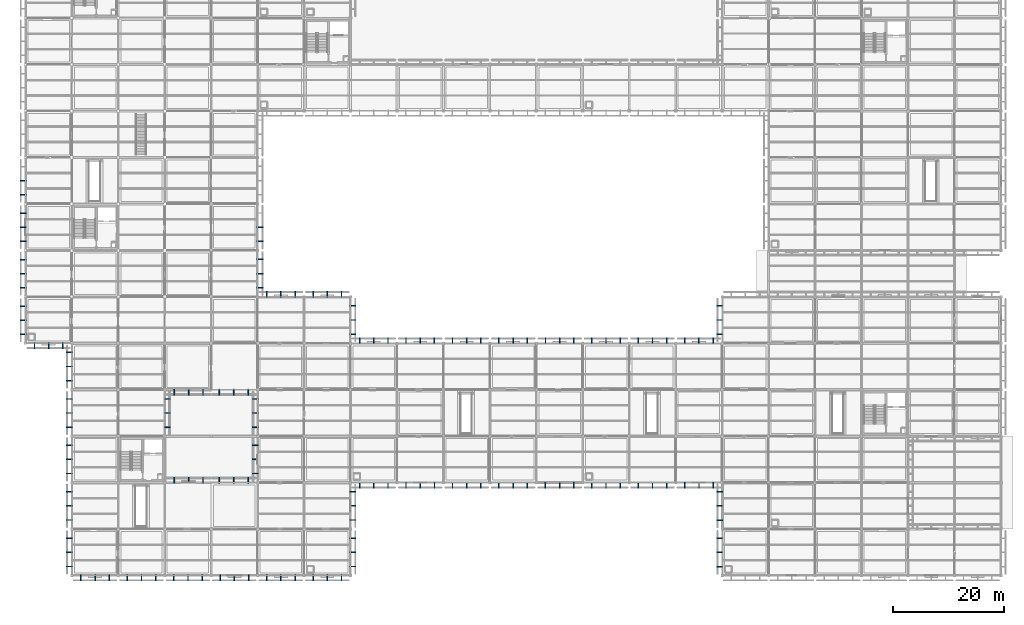
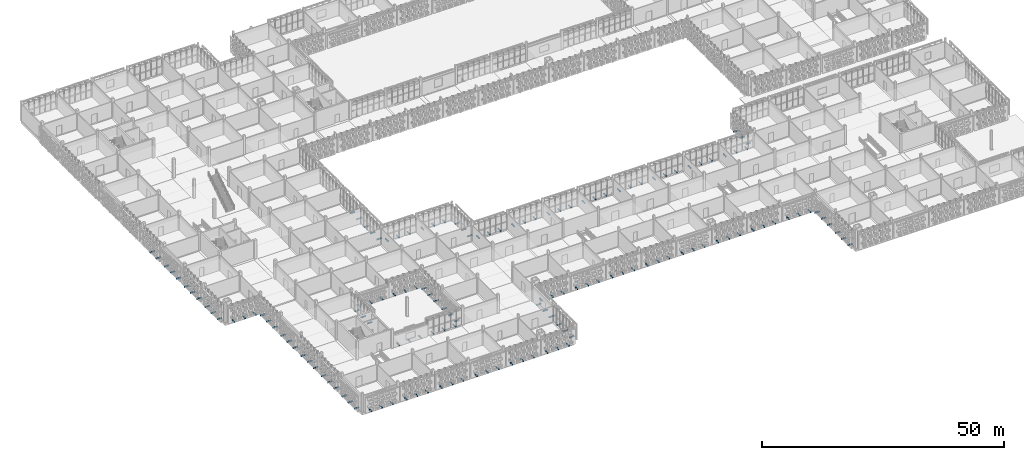
# One storey, part 130 of 203: 145 discrete accessories.
"""IFC4 building model written with IfcOpenShell, lengths in metres."""

from ifc_helpers import new_model, si_unit, direction, frame, origin, origin_2d, place, context, subcontext, project, spatial, rectangle, extrude, material, type_object, element, save


model = new_model("IFC4")

# Units and contexts
model_context = context("Model", 3, precision=1e-05, world=origin(), true_north=direction((0.0, 1.0)))
body_context = subcontext(model_context, "Body", "Model", "MODEL_VIEW")
ifc_project = project(units=[si_unit("LENGTHUNIT", "METRE"), si_unit("AREAUNIT", "SQUARE_METRE"), si_unit("VOLUMEUNIT", "CUBIC_METRE"), si_unit("PLANEANGLEUNIT", "RADIAN"), si_unit("MASSUNIT", "GRAM", prefix="KILO")], contexts=[model_context])

# Site, building, storey
site_placement = place(None, origin())
site = spatial("IfcSite", under=ifc_project, at=site_placement, CompositionType="ELEMENT")
building_placement = place(site_placement, origin())
building = spatial("IfcBuilding", under=site, at=building_placement, Name="Varnapada Polytechnic", CompositionType="ELEMENT")
storey_placement = place(building_placement, frame((0.0, 0.0, 4.800048828125)))
storey = spatial("IfcBuildingStorey", under=building, at=storey_placement, Name="L01", CompositionType="ELEMENT", Elevation=4.800048828125)

# Discrete accessories
ifc_material = material(Name="Steel S355", Category="steel")
discrete_accessory_type = type_object("IfcDiscreteAccessoryType", Name="Screen Outrigger Bracket BRK-01", PredefinedType="BRACKET", material=ifc_material)
for number, where, z_axis, x_axis, name in (
    (1, (6.753662109375, 41.574951171875, -0.0498046875), (0.0, 0.0, 1.0), (-1.0, 0.0, 0.0), "L01 terracotta screen outrigger bracket 1.1"),
    (2, (4.199951171875, 41.574951171875, -0.0498046875), (0.0, 0.0, 1.0), (-1.0, 0.0, 0.0), "L01 terracotta screen outrigger bracket 1.2"),
    (3, (1.646484375, 41.574951171875, -0.0498046875), (0.0, 0.0, 1.0), (-1.0, 0.0, 0.0), "L01 terracotta screen outrigger bracket 1.3"),
    (4, (-0.425048828125, 43.637451171875, -0.0498046875), (0.0, 0.0, 1.0), (0.0, 1.0, 0.0), "L01 terracotta screen outrigger bracket 2.1"),
    (5, (-0.425048828125, 46.175048828125, -0.0498046875), (0.0, 0.0, 1.0), (0.0, 1.0, 0.0), "L01 terracotta screen outrigger bracket 2.2"),
    (6, (-0.425048828125, 48.712646484375, -0.0498046875), (0.0, 0.0, 1.0), (0.0, 1.0, 0.0), "L01 terracotta screen outrigger bracket 2.3"),
    (7, (-0.425048828125, 52.078369140625, -0.0498046875), (0.0, 0.0, 1.0), (0.0, 1.0, 0.0), "L01 terracotta screen outrigger bracket 3.1"),
    (8, (-0.425048828125, 54.60009765625, -0.0498046875), (0.0, 0.0, 1.0), (0.0, 1.0, 0.0), "L01 terracotta screen outrigger bracket 3.2"),
    (9, (-0.425048828125, 57.12158203125, -0.0498046875), (0.0, 0.0, 1.0), (0.0, 1.0, 0.0), "L01 terracotta screen outrigger bracket 3.3"),
    (10, (-0.425048828125, 60.478515625, -0.0498046875), (0.0, 0.0, 1.0), (0.0, 1.0, 0.0), "L01 terracotta screen outrigger bracket 4.1"),
    (11, (-0.425048828125, 63.0, -0.0498046875), (0.0, 0.0, 1.0), (0.0, 1.0, 0.0), "L01 terracotta screen outrigger bracket 4.2"),
    (12, (-0.425048828125, 65.521484375, -0.0498046875), (0.0, 0.0, 1.0), (0.0, 1.0, 0.0), "L01 terracotta screen outrigger bracket 4.3"),
    (13, (-0.425048828125, 68.87841796875, -0.0498046875), (0.0, 0.0, 1.0), (0.0, 1.0, 0.0), "L01 terracotta screen outrigger bracket 5.1"),
    (14, (-0.425048828125, 71.39990234375, -0.0498046875), (0.0, 0.0, 1.0), (0.0, 1.0, 0.0), "L01 terracotta screen outrigger bracket 5.2"),
    (15, (15.168212890625, -0.425048828125, -0.0498046875), (0.0, 0.0, 1.0), (-1.0, 0.0, 0.0), "L01 terracotta screen outrigger bracket 13.1"),
    (16, (12.60498046875, -0.425048828125, -0.0498046875), (0.0, 0.0, 1.0), (-1.0, 0.0, 0.0), "L01 terracotta screen outrigger bracket 13.2"),
    (17, (10.041748046875, -0.425048828125, -0.0498046875), (0.0, 0.0, 1.0), (-1.0, 0.0, 0.0), "L01 terracotta screen outrigger bracket 13.3"),
    (18, (7.97509765625, 1.636474609375, -0.0498046875), (0.0, 0.0, 1.0), (0.0, 1.0, 0.0), "L01 terracotta screen outrigger bracket 14.1"),
    (19, (7.97509765625, 4.18994140625, -0.0498046875), (0.0, 0.0, 1.0), (0.0, 1.0, 0.0), "L01 terracotta screen outrigger bracket 14.2"),
    (20, (7.97509765625, 6.74365234375, -0.0498046875), (0.0, 0.0, 1.0), (0.0, 1.0, 0.0), "L01 terracotta screen outrigger bracket 14.3"),
    (21, (7.97509765625, 10.051025390625, -0.0498046875), (0.0, 0.0, 1.0), (0.0, 1.0, 0.0), "L01 terracotta screen outrigger bracket 15.1"),
    (22, (7.97509765625, 12.594970703125, -0.0498046875), (0.0, 0.0, 1.0), (0.0, 1.0, 0.0), "L01 terracotta screen outrigger bracket 15.2"),
    (23, (7.97509765625, 15.138916015625, -0.0498046875), (0.0, 0.0, 1.0), (0.0, 1.0, 0.0), "L01 terracotta screen outrigger bracket 15.3"),
    (24, (7.97509765625, 18.4609375, -0.0498046875), (0.0, 0.0, 1.0), (0.0, 1.0, 0.0), "L01 terracotta screen outrigger bracket 16.1"),
    (25, (7.97509765625, 21.0048828125, -0.0498046875), (0.0, 0.0, 1.0), (0.0, 1.0, 0.0), "L01 terracotta screen outrigger bracket 16.2"),
    (26, (7.97509765625, 23.549072265625, -0.0498046875), (0.0, 0.0, 1.0), (0.0, 1.0, 0.0), "L01 terracotta screen outrigger bracket 16.3"),
    (27, (7.97509765625, 26.85107421875, -0.0498046875), (0.0, 0.0, 1.0), (0.0, 1.0, 0.0), "L01 terracotta screen outrigger bracket 17.1"),
    (28, (7.97509765625, 29.39501953125, -0.0498046875), (0.0, 0.0, 1.0), (0.0, 1.0, 0.0), "L01 terracotta screen outrigger bracket 17.2"),
    (29, (7.97509765625, 31.93896484375, -0.0498046875), (0.0, 0.0, 1.0), (0.0, 1.0, 0.0), "L01 terracotta screen outrigger bracket 17.3"),
    (30, (7.97509765625, 35.2626953125, -0.0498046875), (0.0, 0.0, 1.0), (0.0, 1.0, 0.0), "L01 terracotta screen outrigger bracket 18.1"),
    (31, (7.97509765625, 37.81005859375, -0.0498046875), (0.0, 0.0, 1.0), (0.0, 1.0, 0.0), "L01 terracotta screen outrigger bracket 18.2"),
    (32, (7.97509765625, 40.357177734375, -0.0498046875), (0.0, 0.0, 1.0), (0.0, 1.0, 0.0), "L01 terracotta screen outrigger bracket 18.3"),
    (33, (23.55810546875, -0.425048828125, -0.0498046875), (0.0, 0.0, 1.0), (-1.0, 0.0, 0.0), "L01 terracotta screen outrigger bracket 20.1"),
    (34, (20.9951171875, -0.425048828125, -0.0498046875), (0.0, 0.0, 1.0), (-1.0, 0.0, 0.0), "L01 terracotta screen outrigger bracket 20.2"),
    (35, (18.431884765625, -0.425048828125, -0.0498046875), (0.0, 0.0, 1.0), (-1.0, 0.0, 0.0), "L01 terracotta screen outrigger bracket 20.3"),
    (36, (25.625, 31.93896484375, -0.0498046875), (0.0, 0.0, 1.0), (0.0, -1.0, 0.0), "L01 terracotta screen outrigger bracket 22.1"),
    (37, (25.625, 29.39501953125, -0.0498046875), (0.0, 0.0, 1.0), (0.0, -1.0, 0.0), "L01 terracotta screen outrigger bracket 22.2"),
    (38, (25.625, 26.85107421875, -0.0498046875), (0.0, 0.0, 1.0), (0.0, -1.0, 0.0), "L01 terracotta screen outrigger bracket 22.3"),
    (39, (31.96826171875, -0.425048828125, -0.0498046875), (0.0, 0.0, 1.0), (-1.0, 0.0, 0.0), "L01 terracotta screen outrigger bracket 24.1"),
    (40, (29.405029296875, -0.425048828125, -0.0498046875), (0.0, 0.0, 1.0), (-1.0, 0.0, 0.0), "L01 terracotta screen outrigger bracket 24.2"),
    (41, (26.841796875, -0.425048828125, -0.0498046875), (0.0, 0.0, 1.0), (-1.0, 0.0, 0.0), "L01 terracotta screen outrigger bracket 24.3"),
    (42, (26.900634765625, 17.22509765625, -0.0498046875), (0.0, 0.0, 1.0), (1.0, 0.0, 0.0), "L01 terracotta screen outrigger bracket 25.1"),
    (43, (29.514892578125, 17.22509765625, -0.0498046875), (0.0, 0.0, 1.0), (1.0, 0.0, 0.0), "L01 terracotta screen outrigger bracket 25.2"),
    (44, (32.12939453125, 17.22509765625, -0.0498046875), (0.0, 0.0, 1.0), (1.0, 0.0, 0.0), "L01 terracotta screen outrigger bracket 25.3"),
    (45, (32.12939453125, 33.175048828125, -0.0498046875), (0.0, 0.0, 1.0), (-1.0, 0.0, 0.0), "L01 terracotta screen outrigger bracket 26.1"),
    (46, (29.514892578125, 33.175048828125, -0.0498046875), (0.0, 0.0, 1.0), (-1.0, 0.0, 0.0), "L01 terracotta screen outrigger bracket 26.2"),
    (47, (26.900634765625, 33.175048828125, -0.0498046875), (0.0, 0.0, 1.0), (-1.0, 0.0, 0.0), "L01 terracotta screen outrigger bracket 26.3"),
    (48, (40.358154296875, -0.425048828125, -0.0498046875), (0.0, 0.0, 1.0), (-1.0, 0.0, 0.0), "L01 terracotta screen outrigger bracket 28.1"),
    (49, (37.794921875, -0.425048828125, -0.0498046875), (0.0, 0.0, 1.0), (-1.0, 0.0, 0.0), "L01 terracotta screen outrigger bracket 28.2"),
    (50, (35.231689453125, -0.425048828125, -0.0498046875), (0.0, 0.0, 1.0), (-1.0, 0.0, 0.0), "L01 terracotta screen outrigger bracket 28.3"),
    (51, (35.070556640625, 17.22509765625, -0.0498046875), (0.0, 0.0, 1.0), (1.0, 0.0, 0.0), "L01 terracotta screen outrigger bracket 29.1"),
    (52, (37.68505859375, 17.22509765625, -0.0498046875), (0.0, 0.0, 1.0), (1.0, 0.0, 0.0), "L01 terracotta screen outrigger bracket 29.2"),
    (53, (40.29931640625, 17.22509765625, -0.0498046875), (0.0, 0.0, 1.0), (1.0, 0.0, 0.0), "L01 terracotta screen outrigger bracket 29.3"),
    (54, (40.29931640625, 33.175048828125, -0.0498046875), (0.0, 0.0, 1.0), (-1.0, 0.0, 0.0), "L01 terracotta screen outrigger bracket 30.1"),
    (55, (37.68505859375, 33.175048828125, -0.0498046875), (0.0, 0.0, 1.0), (-1.0, 0.0, 0.0), "L01 terracotta screen outrigger bracket 30.2"),
    (56, (35.070556640625, 33.175048828125, -0.0498046875), (0.0, 0.0, 1.0), (-1.0, 0.0, 0.0), "L01 terracotta screen outrigger bracket 30.3"),
    (57, (42.425048828125, 57.180908203125, -0.0498046875), (0.0, 0.0, 1.0), (0.0, -1.0, 0.0), "L01 terracotta screen outrigger bracket 31.1"),
    (58, (42.425048828125, 54.60498046875, -0.0498046875), (0.0, 0.0, 1.0), (0.0, -1.0, 0.0), "L01 terracotta screen outrigger bracket 31.2"),
    (59, (42.425048828125, 52.029052734375, -0.0498046875), (0.0, 0.0, 1.0), (0.0, -1.0, 0.0), "L01 terracotta screen outrigger bracket 31.3"),
    (60, (42.425048828125, 62.9951171875, -0.0498046875), (0.0, 0.0, 1.0), (0.0, -1.0, 0.0), "L01 terracotta screen outrigger bracket 32.2"),
    (61, (42.425048828125, 60.4189453125, -0.0498046875), (0.0, 0.0, 1.0), (0.0, -1.0, 0.0), "L01 terracotta screen outrigger bracket 32.3"),
    (62, (48.768310546875, -0.425048828125, -0.0498046875), (0.0, 0.0, 1.0), (-1.0, 0.0, 0.0), "L01 terracotta screen outrigger bracket 37.1"),
    (63, (46.205078125, -0.425048828125, -0.0498046875), (0.0, 0.0, 1.0), (-1.0, 0.0, 0.0), "L01 terracotta screen outrigger bracket 37.2"),
    (64, (43.641845703125, -0.425048828125, -0.0498046875), (0.0, 0.0, 1.0), (-1.0, 0.0, 0.0), "L01 terracotta screen outrigger bracket 37.3"),
    (65, (41.574951171875, 18.4609375, -0.0498046875), (0.0, 0.0, 1.0), (0.0, 1.0, 0.0), "L01 terracotta screen outrigger bracket 38.1"),
    (66, (41.574951171875, 21.0048828125, -0.0498046875), (0.0, 0.0, 1.0), (0.0, 1.0, 0.0), "L01 terracotta screen outrigger bracket 38.2"),
    (67, (41.574951171875, 23.549072265625, -0.0498046875), (0.0, 0.0, 1.0), (0.0, 1.0, 0.0), "L01 terracotta screen outrigger bracket 38.3"),
    (68, (41.574951171875, 26.85107421875, -0.0498046875), (0.0, 0.0, 1.0), (0.0, 1.0, 0.0), "L01 terracotta screen outrigger bracket 39.1"),
    (69, (41.574951171875, 29.39501953125, -0.0498046875), (0.0, 0.0, 1.0), (0.0, 1.0, 0.0), "L01 terracotta screen outrigger bracket 39.2"),
    (70, (41.574951171875, 31.93896484375, -0.0498046875), (0.0, 0.0, 1.0), (0.0, 1.0, 0.0), "L01 terracotta screen outrigger bracket 39.3"),
    (71, (43.627197265625, 50.824951171875, -0.0498046875), (0.0, 0.0, 1.0), (1.0, 0.0, 0.0), "L01 terracotta screen outrigger bracket 40.1"),
    (72, (46.199951171875, 50.824951171875, -0.0498046875), (0.0, 0.0, 1.0), (1.0, 0.0, 0.0), "L01 terracotta screen outrigger bracket 40.2"),
    (73, (48.772705078125, 50.824951171875, -0.0498046875), (0.0, 0.0, 1.0), (1.0, 0.0, 0.0), "L01 terracotta screen outrigger bracket 40.3"),
    (74, (57.158203125, -0.425048828125, -0.0498046875), (0.0, 0.0, 1.0), (-1.0, 0.0, 0.0), "L01 terracotta screen outrigger bracket 43.1"),
    (75, (54.594970703125, -0.425048828125, -0.0498046875), (0.0, 0.0, 1.0), (-1.0, 0.0, 0.0), "L01 terracotta screen outrigger bracket 43.2"),
    (76, (52.03173828125, -0.425048828125, -0.0498046875), (0.0, 0.0, 1.0), (-1.0, 0.0, 0.0), "L01 terracotta screen outrigger bracket 43.3"),
    (77, (59.22509765625, 6.751708984375, -0.0498046875), (0.0, 0.0, 1.0), (0.0, -1.0, 0.0), "L01 terracotta screen outrigger bracket 44.1"),
    (78, (59.22509765625, 4.195068359375, -0.0498046875), (0.0, 0.0, 1.0), (0.0, -1.0, 0.0), "L01 terracotta screen outrigger bracket 44.2"),
    (79, (59.22509765625, 1.63818359375, -0.0498046875), (0.0, 0.0, 1.0), (0.0, -1.0, 0.0), "L01 terracotta screen outrigger bracket 44.3"),
    (80, (59.22509765625, 15.153564453125, -0.0498046875), (0.0, 0.0, 1.0), (0.0, -1.0, 0.0), "L01 terracotta screen outrigger bracket 45.1"),
    (81, (59.22509765625, 12.60009765625, -0.0498046875), (0.0, 0.0, 1.0), (0.0, -1.0, 0.0), "L01 terracotta screen outrigger bracket 45.2"),
    (82, (59.22509765625, 10.04638671875, -0.0498046875), (0.0, 0.0, 1.0), (0.0, -1.0, 0.0), "L01 terracotta screen outrigger bracket 45.3"),
    (83, (52.027099609375, 50.824951171875, -0.0498046875), (0.0, 0.0, 1.0), (1.0, 0.0, 0.0), "L01 terracotta screen outrigger bracket 46.1"),
    (84, (54.60009765625, 50.824951171875, -0.0498046875), (0.0, 0.0, 1.0), (1.0, 0.0, 0.0), "L01 terracotta screen outrigger bracket 46.2"),
    (85, (57.1728515625, 50.824951171875, -0.0498046875), (0.0, 0.0, 1.0), (1.0, 0.0, 0.0), "L01 terracotta screen outrigger bracket 46.3"),
    (86, (59.22509765625, 48.7783203125, -0.0498046875), (0.0, 0.0, 1.0), (0.0, -1.0, 0.0), "L01 terracotta screen outrigger bracket 47.1"),
    (87, (59.22509765625, 46.215087890625, -0.0498046875), (0.0, 0.0, 1.0), (0.0, -1.0, 0.0), "L01 terracotta screen outrigger bracket 47.2"),
    (88, (59.22509765625, 43.65185546875, -0.0498046875), (0.0, 0.0, 1.0), (0.0, -1.0, 0.0), "L01 terracotta screen outrigger bracket 47.3"),
    (89, (65.578125, 16.375, -0.0498046875), (0.0, 0.0, 1.0), (-1.0, 0.0, 0.0), "L01 terracotta screen outrigger bracket 54.1"),
    (90, (63.014892578125, 16.375, -0.0498046875), (0.0, 0.0, 1.0), (-1.0, 0.0, 0.0), "L01 terracotta screen outrigger bracket 54.2"),
    (91, (60.451904296875, 16.375, -0.0498046875), (0.0, 0.0, 1.0), (-1.0, 0.0, 0.0), "L01 terracotta screen outrigger bracket 54.3"),
    (92, (60.449951171875, 42.425048828125, -0.0498046875), (0.0, 0.0, 1.0), (1.0, 0.0, 0.0), "L01 terracotta screen outrigger bracket 55.1"),
    (93, (63.010009765625, 42.425048828125, -0.0498046875), (0.0, 0.0, 1.0), (1.0, 0.0, 0.0), "L01 terracotta screen outrigger bracket 55.2"),
    (94, (65.570068359375, 42.425048828125, -0.0498046875), (0.0, 0.0, 1.0), (1.0, 0.0, 0.0), "L01 terracotta screen outrigger bracket 55.3"),
    (95, (73.972900390625, 16.375, -0.0498046875), (0.0, 0.0, 1.0), (-1.0, 0.0, 0.0), "L01 terracotta screen outrigger bracket 60.1"),
    (96, (71.39990234375, 16.375, -0.0498046875), (0.0, 0.0, 1.0), (-1.0, 0.0, 0.0), "L01 terracotta screen outrigger bracket 60.2"),
    (97, (68.8271484375, 16.375, -0.0498046875), (0.0, 0.0, 1.0), (-1.0, 0.0, 0.0), "L01 terracotta screen outrigger bracket 60.3"),
    (98, (68.831787109375, 42.425048828125, -0.0498046875), (0.0, 0.0, 1.0), (1.0, 0.0, 0.0), "L01 terracotta screen outrigger bracket 61.1"),
    (99, (71.39501953125, 42.425048828125, -0.0498046875), (0.0, 0.0, 1.0), (1.0, 0.0, 0.0), "L01 terracotta screen outrigger bracket 61.2"),
    (100, (73.958251953125, 42.425048828125, -0.0498046875), (0.0, 0.0, 1.0), (1.0, 0.0, 0.0), "L01 terracotta screen outrigger bracket 61.3"),
    (101, (82.372802734375, 16.375, -0.0498046875), (0.0, 0.0, 1.0), (-1.0, 0.0, 0.0), "L01 terracotta screen outrigger bracket 66.1"),
    (102, (79.800048828125, 16.375, -0.0498046875), (0.0, 0.0, 1.0), (-1.0, 0.0, 0.0), "L01 terracotta screen outrigger bracket 66.2"),
    (103, (77.227294921875, 16.375, -0.0498046875), (0.0, 0.0, 1.0), (-1.0, 0.0, 0.0), "L01 terracotta screen outrigger bracket 66.3"),
    (104, (77.24169921875, 42.425048828125, -0.0498046875), (0.0, 0.0, 1.0), (1.0, 0.0, 0.0), "L01 terracotta screen outrigger bracket 67.1"),
    (105, (79.804931640625, 42.425048828125, -0.0498046875), (0.0, 0.0, 1.0), (1.0, 0.0, 0.0), "L01 terracotta screen outrigger bracket 67.2"),
    (106, (82.3681640625, 42.425048828125, -0.0498046875), (0.0, 0.0, 1.0), (1.0, 0.0, 0.0), "L01 terracotta screen outrigger bracket 67.3"),
    (107, (90.772705078125, 16.375, -0.0498046875), (0.0, 0.0, 1.0), (-1.0, 0.0, 0.0), "L01 terracotta screen outrigger bracket 72.1"),
    (108, (88.199951171875, 16.375, -0.0498046875), (0.0, 0.0, 1.0), (-1.0, 0.0, 0.0), "L01 terracotta screen outrigger bracket 72.2"),
    (109, (85.627197265625, 16.375, -0.0498046875), (0.0, 0.0, 1.0), (-1.0, 0.0, 0.0), "L01 terracotta screen outrigger bracket 72.3"),
    (110, (85.6318359375, 42.425048828125, -0.0498046875), (0.0, 0.0, 1.0), (1.0, 0.0, 0.0), "L01 terracotta screen outrigger bracket 73.1"),
    (111, (88.195068359375, 42.425048828125, -0.0498046875), (0.0, 0.0, 1.0), (1.0, 0.0, 0.0), "L01 terracotta screen outrigger bracket 73.2"),
    (112, (90.75830078125, 42.425048828125, -0.0498046875), (0.0, 0.0, 1.0), (1.0, 0.0, 0.0), "L01 terracotta screen outrigger bracket 73.3"),
    (113, (99.1728515625, 16.375, -0.0498046875), (0.0, 0.0, 1.0), (-1.0, 0.0, 0.0), "L01 terracotta screen outrigger bracket 78.1"),
    (114, (96.60009765625, 16.375, -0.0498046875), (0.0, 0.0, 1.0), (-1.0, 0.0, 0.0), "L01 terracotta screen outrigger bracket 78.2"),
    (115, (94.027099609375, 16.375, -0.0498046875), (0.0, 0.0, 1.0), (-1.0, 0.0, 0.0), "L01 terracotta screen outrigger bracket 78.3"),
    (116, (94.041748046875, 42.425048828125, -0.0498046875), (0.0, 0.0, 1.0), (1.0, 0.0, 0.0), "L01 terracotta screen outrigger bracket 79.1"),
    (117, (96.60498046875, 42.425048828125, -0.0498046875), (0.0, 0.0, 1.0), (1.0, 0.0, 0.0), "L01 terracotta screen outrigger bracket 79.2"),
    (118, (99.168212890625, 42.425048828125, -0.0498046875), (0.0, 0.0, 1.0), (1.0, 0.0, 0.0), "L01 terracotta screen outrigger bracket 79.3"),
    (119, (107.57275390625, 16.375, -0.0498046875), (0.0, 0.0, 1.0), (-1.0, 0.0, 0.0), "L01 terracotta screen outrigger bracket 84.1"),
    (120, (105.0, 16.375, -0.0498046875), (0.0, 0.0, 1.0), (-1.0, 0.0, 0.0), "L01 terracotta screen outrigger bracket 84.2"),
    (121, (102.42724609375, 16.375, -0.0498046875), (0.0, 0.0, 1.0), (-1.0, 0.0, 0.0), "L01 terracotta screen outrigger bracket 84.3"),
    (122, (102.431884765625, 42.425048828125, -0.0498046875), (0.0, 0.0, 1.0), (1.0, 0.0, 0.0), "L01 terracotta screen outrigger bracket 85.1"),
    (123, (104.9951171875, 42.425048828125, -0.0498046875), (0.0, 0.0, 1.0), (1.0, 0.0, 0.0), "L01 terracotta screen outrigger bracket 85.2"),
    (124, (107.55810546875, 42.425048828125, -0.0498046875), (0.0, 0.0, 1.0), (1.0, 0.0, 0.0), "L01 terracotta screen outrigger bracket 85.3"),
    (125, (115.972900390625, 16.375, -0.0498046875), (0.0, 0.0, 1.0), (-1.0, 0.0, 0.0), "L01 terracotta screen outrigger bracket 90.1"),
    (126, (113.39990234375, 16.375, -0.0498046875), (0.0, 0.0, 1.0), (-1.0, 0.0, 0.0), "L01 terracotta screen outrigger bracket 90.2"),
    (127, (110.8271484375, 16.375, -0.0498046875), (0.0, 0.0, 1.0), (-1.0, 0.0, 0.0), "L01 terracotta screen outrigger bracket 90.3"),
    (128, (110.841796875, 42.425048828125, -0.0498046875), (0.0, 0.0, 1.0), (1.0, 0.0, 0.0), "L01 terracotta screen outrigger bracket 91.1"),
    (129, (113.405029296875, 42.425048828125, -0.0498046875), (0.0, 0.0, 1.0), (1.0, 0.0, 0.0), "L01 terracotta screen outrigger bracket 91.2"),
    (130, (115.96826171875, 42.425048828125, -0.0498046875), (0.0, 0.0, 1.0), (1.0, 0.0, 0.0), "L01 terracotta screen outrigger bracket 91.3"),
    (131, (124.372802734375, 16.375, -0.0498046875), (0.0, 0.0, 1.0), (-1.0, 0.0, 0.0), "L01 terracotta screen outrigger bracket 96.1"),
    (132, (121.800048828125, 16.375, -0.0498046875), (0.0, 0.0, 1.0), (-1.0, 0.0, 0.0), "L01 terracotta screen outrigger bracket 96.2"),
    (133, (119.227294921875, 16.375, -0.0498046875), (0.0, 0.0, 1.0), (-1.0, 0.0, 0.0), "L01 terracotta screen outrigger bracket 96.3"),
    (134, (119.231689453125, 42.425048828125, -0.0498046875), (0.0, 0.0, 1.0), (1.0, 0.0, 0.0), "L01 terracotta screen outrigger bracket 97.1"),
    (135, (121.794921875, 42.425048828125, -0.0498046875), (0.0, 0.0, 1.0), (1.0, 0.0, 0.0), "L01 terracotta screen outrigger bracket 97.2"),
    (136, (124.358154296875, 42.425048828125, -0.0498046875), (0.0, 0.0, 1.0), (1.0, 0.0, 0.0), "L01 terracotta screen outrigger bracket 97.3"),
    (137, (125.574951171875, 1.62890625, -0.0498046875), (0.0, 0.0, 1.0), (0.0, 1.0, 0.0), "L01 terracotta screen outrigger bracket 103.1"),
    (138, (125.574951171875, 4.205078125, -0.0498046875), (0.0, 0.0, 1.0), (0.0, 1.0, 0.0), "L01 terracotta screen outrigger bracket 103.2"),
    (139, (125.574951171875, 6.781005859375, -0.0498046875), (0.0, 0.0, 1.0), (0.0, 1.0, 0.0), "L01 terracotta screen outrigger bracket 103.3"),
    (140, (125.574951171875, 10.01904296875, -0.0498046875), (0.0, 0.0, 1.0), (0.0, 1.0, 0.0), "L01 terracotta screen outrigger bracket 104.1"),
    (141, (125.574951171875, 12.594970703125, -0.0498046875), (0.0, 0.0, 1.0), (0.0, 1.0, 0.0), "L01 terracotta screen outrigger bracket 104.2"),
    (142, (125.574951171875, 15.1708984375, -0.0498046875), (0.0, 0.0, 1.0), (0.0, 1.0, 0.0), "L01 terracotta screen outrigger bracket 104.3"),
    (143, (125.574951171875, 43.6435546875, -0.0498046875), (0.0, 0.0, 1.0), (0.0, 1.0, 0.0), "L01 terracotta screen outrigger bracket 106.1"),
    (144, (125.574951171875, 46.2099609375, -0.0498046875), (0.0, 0.0, 1.0), (0.0, 1.0, 0.0), "L01 terracotta screen outrigger bracket 106.2"),
    (145, (125.574951171875, 48.7763671875, -0.0498046875), (0.0, 0.0, 1.0), (0.0, 1.0, 0.0), "L01 terracotta screen outrigger bracket 106.3"),
):
    element("IfcDiscreteAccessory", number, at=place(storey_placement, frame(where, z_axis=z_axis, x_axis=x_axis)), inside=storey, type_object=discrete_accessory_type, Name=name, PredefinedType="BRACKET", context=body_context, shape_type="SweptSolid", body=[
        extrude(rectangle(XDim=0.159912109375, YDim=1.090087890625, at=origin_2d()), origin(), (0.0, 0.0, 1.0), 0.219970703125),
    ])

save(model, "model.ifc")
